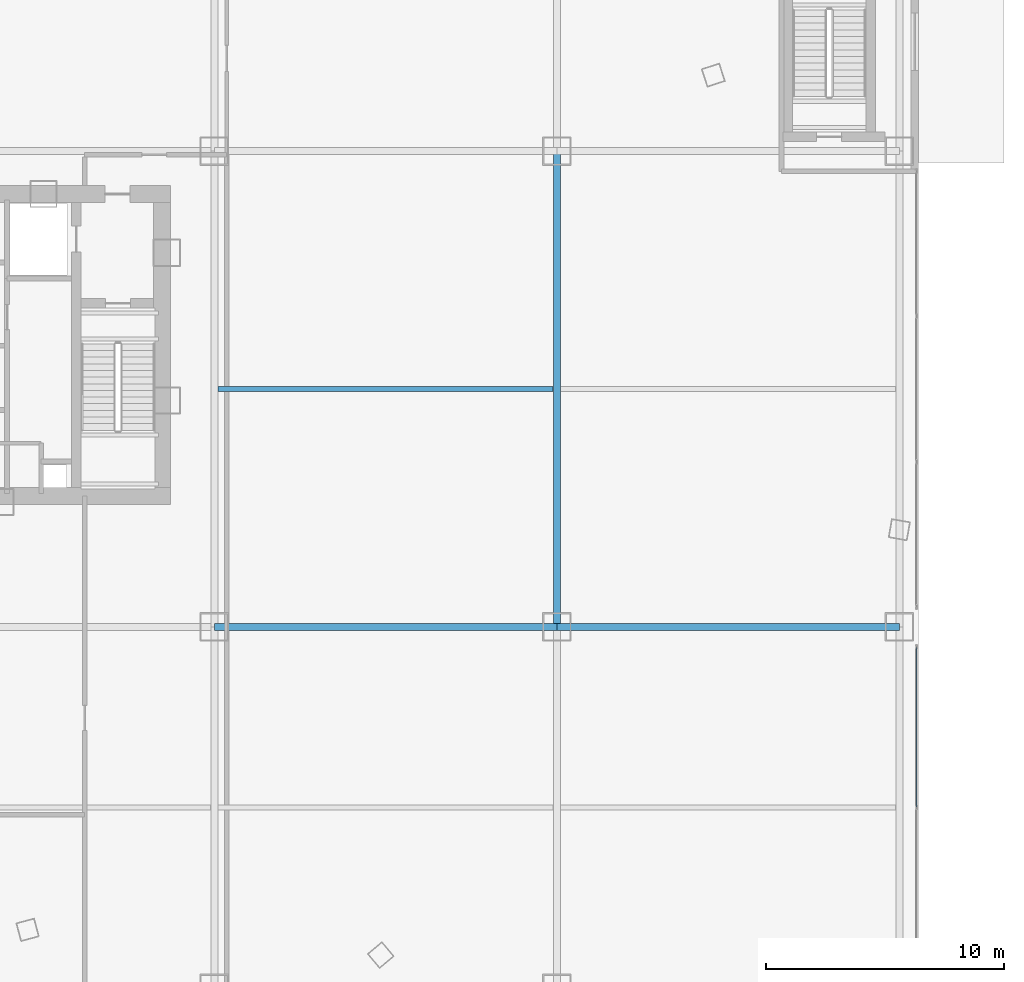
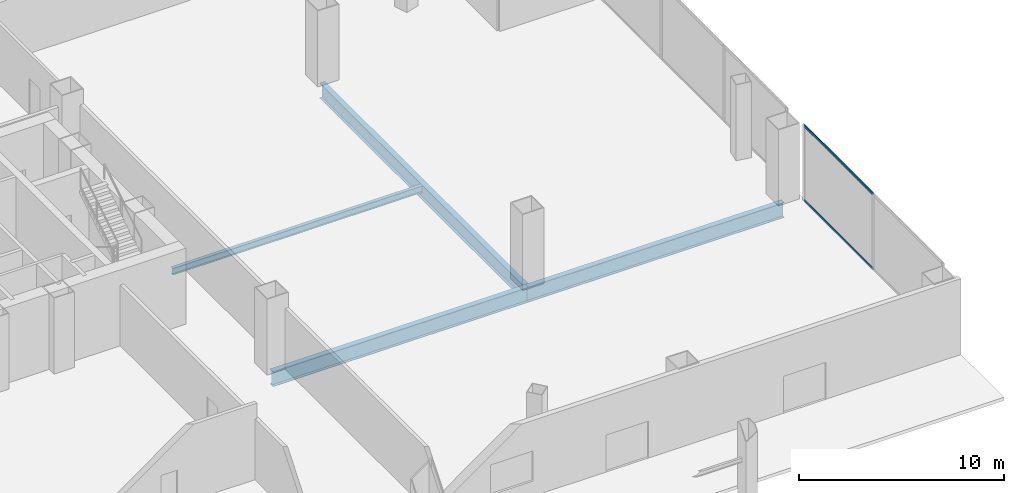
# One storey, part 20 of 58: 4 beams, 2 members, 1 element without a shape of its own.
"""IFC4 building model written with IfcOpenShell, lengths in metres."""

from ifc_helpers import new_model, si_unit, direction, frame, origin, origin_2d, place, context, subcontext, project, spatial, hollow_rectangle, i_section, extrude, source, transform, mapped, material, layer, layer_set, material_profile, profile_set, type_object, element, aggregate, save


model = new_model("IFC4")

# Units and contexts
model_context = context("Model", 3, precision=1e-05, world=origin(), true_north=direction((0.0, 1.0)))
body_context = subcontext(model_context, "Body", "Model", "MODEL_VIEW")
ifc_project = project(units=[si_unit("LENGTHUNIT", "METRE"), si_unit("AREAUNIT", "SQUARE_METRE"), si_unit("VOLUMEUNIT", "CUBIC_METRE"), si_unit("PLANEANGLEUNIT", "RADIAN"), si_unit("MASSUNIT", "GRAM", prefix="KILO"), si_unit("THERMODYNAMICTEMPERATUREUNIT", "KELVIN"), si_unit("POWERUNIT", "WATT")], contexts=[model_context])

# Site, building, storey
site_placement = place(None, origin())
site = spatial("IfcSite", under=ifc_project, at=site_placement, CompositionType="ELEMENT")
building_placement = place(site_placement, origin())
building = spatial("IfcBuilding", under=site, at=building_placement, Name="Yunzhuo Pagoda Commons", CompositionType="ELEMENT")
storey_placement = place(building_placement, origin())
storey = spatial("IfcBuildingStorey", under=building, at=storey_placement, Name="L01", CompositionType="ELEMENT", Elevation=0.0)

# Beams
ifc_material_1 = material(Name="Structural steel Q355B", Category="steel")
ifc_material_profile_1 = material_profile(ifc_material_1, i_section(OverallWidth=0.300048828125, OverallDepth=0.89990234375, WebThickness=0.01611328125, FlangeThickness=0.028076171875, at=origin_2d()), Name="Structural steel Q355B")
ifc_profile_set_1 = profile_set([ifc_material_profile_1], Name="Structural steel Q355B")
beam_type_1 = type_object("IfcBeamType", Name="B-PD1 Beam HN 900x300x16x28", PredefinedType="BEAM", material=ifc_profile_set_1)
shared_shape_1 = source(origin(), body_context, "Body", "SweptSolid", [
    extrude(i_section(OverallWidth=0.300048828125, OverallDepth=0.89990234375, WebThickness=0.01611328125, FlangeThickness=0.028076171875, at=origin_2d()), origin(), (0.0, 0.0, 1.0), 14.39990234375),
])
beam_1_placement = place(storey_placement, frame((76.800048828125, 22.0, -0.729736328125), z_axis=(1.0, 0.0, 0.0), x_axis=(0.0, 1.0, 0.0)))
element("IfcBeam", 1, at=beam_1_placement, inside=storey, type_object=beam_type_1, Name="L01 podium girder EW 2.5", PredefinedType="BEAM", context=body_context, shape_type="MappedRepresentation", body=[
    mapped(shared_shape_1, transform((0.0, 0.0, 0.0), scale=1.0)),
])
shared_shape_2 = source(origin(), body_context, "Body", "SweptSolid", [
    extrude(i_section(OverallWidth=0.300048828125, OverallDepth=0.89990234375, WebThickness=0.01611328125, FlangeThickness=0.028076171875, at=origin_2d()), origin(), (0.0, 0.0, 1.0), 14.400146484375),
])
beam_2_placement = place(storey_placement, frame((62.39990234375, 22.0, -0.729736328125), z_axis=(1.0, 0.0, 0.0), x_axis=(0.0, 1.0, 0.0)))
element("IfcBeam", 2, at=beam_2_placement, inside=storey, type_object=beam_type_1, Name="L01 podium girder EW 2.4", PredefinedType="BEAM", context=body_context, shape_type="MappedRepresentation", body=[
    mapped(shared_shape_2, transform((0.0, 0.0, 0.0), scale=1.0)),
])
shared_shape_3 = source(origin(), body_context, "Body", "SweptSolid", [
    extrude(i_section(OverallWidth=0.300048828125, OverallDepth=0.89990234375, WebThickness=0.01611328125, FlangeThickness=0.028076171875, at=origin_2d()), origin(), (0.0, 0.0, 1.0), 20.0),
])
beam_3_placement = place(storey_placement, frame((76.800048828125, 22.0, -0.729736328125), z_axis=(0.0, 1.0, 0.0), x_axis=(-1.0, 0.0, 0.0)))
element("IfcBeam", 3, at=beam_3_placement, inside=storey, type_object=beam_type_1, Name="L01 podium girder NS 5.2", PredefinedType="BEAM", context=body_context, shape_type="MappedRepresentation", body=[
    mapped(shared_shape_3, transform((0.0, 0.0, 0.0), scale=1.0)),
])
ifc_material_profile_2 = material_profile(ifc_material_1, i_section(OverallWidth=0.199951171875, OverallDepth=0.39990234375, WebThickness=0.008056640625, FlangeThickness=0.012939453125, at=origin_2d()), Name="Structural steel Q355B")
ifc_profile_set_2 = profile_set([ifc_material_profile_2], Name="Structural steel Q355B")
beam_type_2 = type_object("IfcBeamType", Name="B-JS1 Joist HN 400x200x8x13", PredefinedType="JOIST", material=ifc_profile_set_2)
shared_shape_4 = source(origin(), body_context, "Body", "SweptSolid", [
    extrude(i_section(OverallWidth=0.199951171875, OverallDepth=0.39990234375, WebThickness=0.008056640625, FlangeThickness=0.012939453125, at=origin_2d()), origin(), (0.0, 0.0, 1.0), 14.09033203125),
])
beam_4_placement = place(storey_placement, frame((62.554931640625, 32.0, -0.479736328125), z_axis=(1.0, 0.0, 0.0), x_axis=(0.0, 1.0, 0.0)))
element("IfcBeam", 4, at=beam_4_placement, inside=storey, type_object=beam_type_2, Name="L01 podium composite joist 4.2", PredefinedType="JOIST", context=body_context, shape_type="MappedRepresentation", body=[
    mapped(shared_shape_4, transform((0.0, 0.0, 0.0), scale=1.0)),
])

# Curtain wall, members
ifc_material_2 = material(Name="Anodized aluminium 6063-T6", Category="aluminium")
ifc_layer = layer(ifc_material_2, 0.179931640625)
ifc_layer_set = layer_set([ifc_layer], Name="Anodized aluminium 6063-T6")
curtain_wall_type = type_object("IfcCurtainWallType", Name="CW-POD Waterfront Podium Curtain Wall", PredefinedType="NOTDEFINED", material=ifc_layer_set)
curtain_wall_placement = place(storey_placement, origin())
curtain_wall = element("IfcCurtainWall", 5, at=curtain_wall_placement, inside=storey, type_object=curtain_wall_type, Name="L01 curtain wall CW-L01-E1", PredefinedType="NOTDEFINED")
ifc_material_profile_3 = material_profile(ifc_material_2, hollow_rectangle(XDim=0.06005859375, YDim=0.14990234375, WallThickness=0.00390625, at=origin_2d()), Name="Anodized aluminium 6063-T6")
ifc_profile_set_3 = profile_set([ifc_material_profile_3], Name="Anodized aluminium 6063-T6")
member_type = type_object("IfcMemberType", Name="CW-POD-T Transom RHS 150x60x4", PredefinedType="USERDEFINED", material=ifc_profile_set_3)
shared_shape_5 = source(origin(), body_context, "Body", "SweptSolid", [
    extrude(hollow_rectangle(XDim=0.06005859375, YDim=0.14990234375, WallThickness=0.00390625, at=origin_2d()), origin(), (0.0, 0.0, 1.0), 6.702392578125),
])
member_1_placement = place(storey_placement, frame((91.919921875, 14.4326171875, 0.030029296875), z_axis=(0.0, 1.0, 0.0), x_axis=(-1.0, 0.0, 0.0)))
member_1 = element("IfcMember", 6, at=member_1_placement, type_object=member_type, Name="CW transom 2.1", ObjectType="TRANSOM", PredefinedType="USERDEFINED", context=body_context, shape_type="MappedRepresentation", body=[
    mapped(shared_shape_5, transform((0.0, 0.0, 0.0), scale=1.0)),
])
member_2_placement = place(storey_placement, frame((91.919921875, 14.4326171875, 4.489990234375), z_axis=(0.0, 1.0, 0.0), x_axis=(-1.0, 0.0, 0.0)))
member_2 = element("IfcMember", 7, at=member_2_placement, type_object=member_type, Name="CW transom 2.2", ObjectType="TRANSOM", PredefinedType="USERDEFINED", context=body_context, shape_type="MappedRepresentation", body=[
    mapped(shared_shape_5, transform((0.0, 0.0, 0.0), scale=1.0)),
])
aggregate(curtain_wall, [member_1, member_2])

save(model, "model.ifc")
